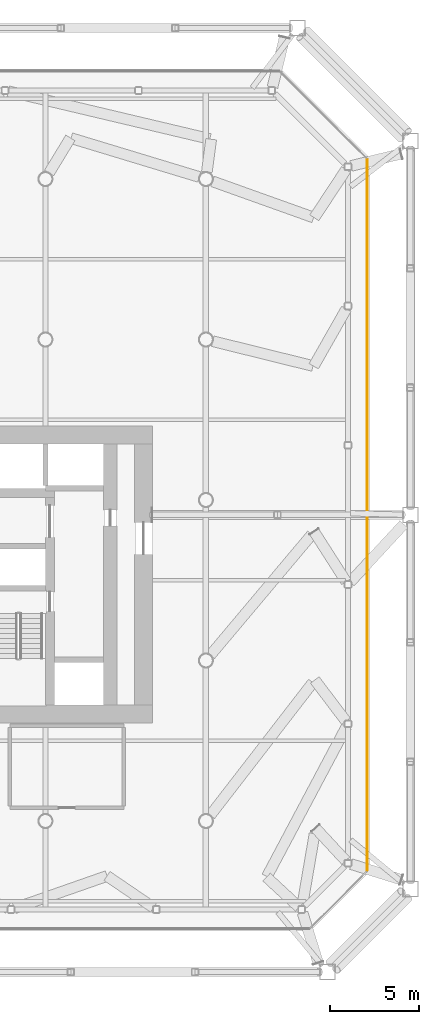
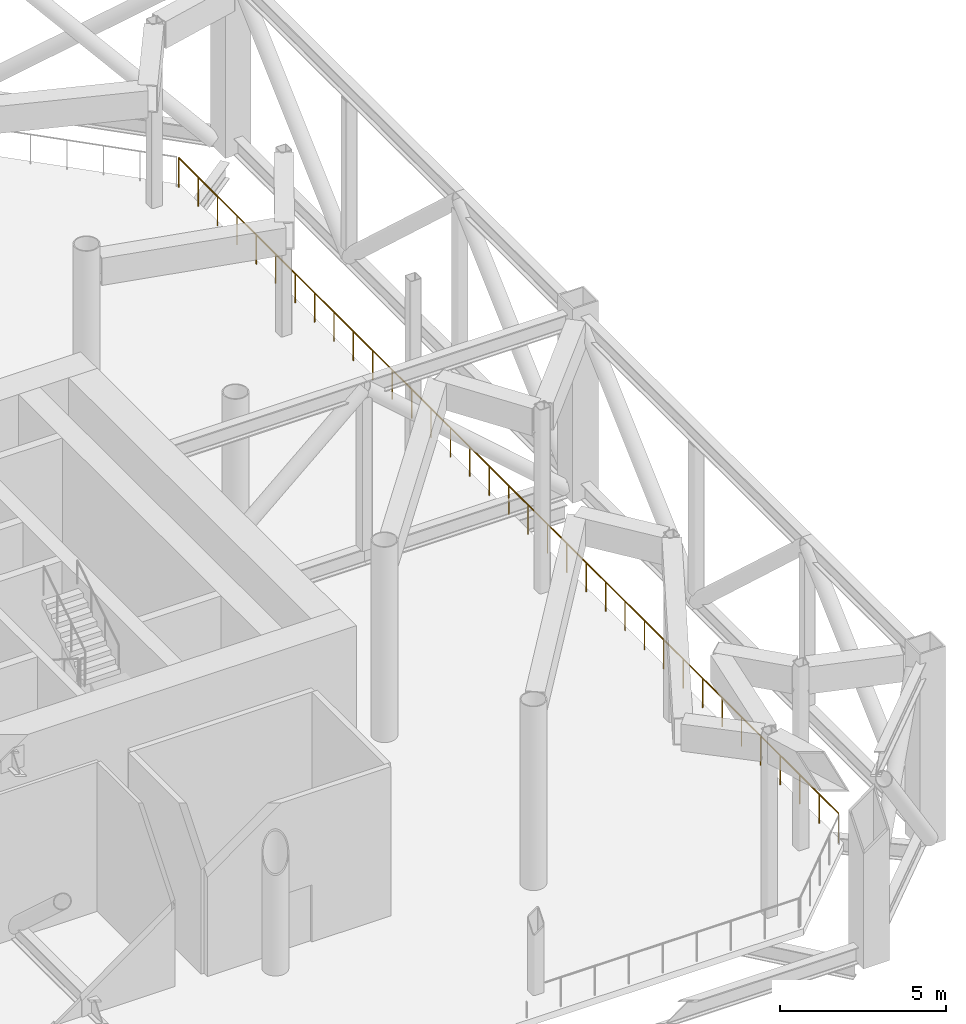
# One storey, part 18 of 20: 1 railing.
"""IFC4 building model written with IfcOpenShell, lengths in metres."""

from ifc_helpers import new_model, si_unit, direction, frame, origin, origin_2d, place, context, subcontext, project, spatial, circle, extrude, material, type_object, element, save


model = new_model("IFC4")

# Units and contexts
model_context = context("Model", 3, precision=1e-05, world=origin(), true_north=direction((0.0, 1.0)))
body_context = subcontext(model_context, "Body", "Model", "MODEL_VIEW")
ifc_project = project(units=[si_unit("LENGTHUNIT", "METRE"), si_unit("AREAUNIT", "SQUARE_METRE"), si_unit("VOLUMEUNIT", "CUBIC_METRE"), si_unit("PLANEANGLEUNIT", "RADIAN"), si_unit("MASSUNIT", "GRAM", prefix="KILO")], contexts=[model_context])

# Site, building, storey
site_placement = place(None, origin())
site = spatial("IfcSite", under=ifc_project, at=site_placement, CompositionType="ELEMENT")
building_placement = place(site_placement, origin())
building = spatial("IfcBuilding", under=site, at=building_placement, Name="Tskaro Facet Tower", CompositionType="ELEMENT")
storey_placement = place(building_placement, frame((0.0, 0.0, 114.300048828125)))
storey = spatial("IfcBuildingStorey", under=building, at=storey_placement, Name="L27", CompositionType="ELEMENT", Elevation=114.300048828125)

# Railing
ifc_material = material(Name="Bronze anodised aluminium 6063-T6", Category="aluminium")
railing_type = type_object("IfcRailingType", Name="Bronze guard rail (GD1)", PredefinedType="GUARDRAIL", material=ifc_material)
railing_placement = place(storey_placement, frame((27.044921875, -20.76611328125, 0.0)))
element("IfcRailing", 1, at=railing_placement, inside=storey, type_object=railing_type, Name="Guard L27", PredefinedType="GUARDRAIL", context=body_context, shape_type="SweptSolid", body=[
    extrude(circle(Radius=0.02490234375, at=origin_2d()), frame((0.0, 0.0, 1.0751953125), z_axis=(0.0, 1.0, 0.0), x_axis=(-1.0, 0.0, 0.0)), (0.0, 0.0, 1.0), 39.858154296875),
    extrude(circle(Radius=0.02001953125, at=origin_2d()), origin(), (0.0, 0.0, 1.0), 1.050048828125),
    extrude(circle(Radius=0.02001953125, at=origin_2d()), frame((0.0, 1.17236328125, 0.0)), (0.0, 0.0, 1.0), 1.050048828125),
    extrude(circle(Radius=0.02001953125, at=origin_2d()), frame((0.0, 2.344482421875, 0.0)), (0.0, 0.0, 1.0), 1.050048828125),
    extrude(circle(Radius=0.02001953125, at=origin_2d()), frame((0.0, 3.516845703125, 0.0)), (0.0, 0.0, 1.0), 1.050048828125),
    extrude(circle(Radius=0.02001953125, at=origin_2d()), frame((0.0, 4.689208984375, 0.0)), (0.0, 0.0, 1.0), 1.050048828125),
    extrude(circle(Radius=0.02001953125, at=origin_2d()), frame((0.0, 5.861572265625, 0.0)), (0.0, 0.0, 1.0), 1.050048828125),
    extrude(circle(Radius=0.02001953125, at=origin_2d()), frame((0.0, 7.03369140625, 0.0)), (0.0, 0.0, 1.0), 1.050048828125),
    extrude(circle(Radius=0.02001953125, at=origin_2d()), frame((0.0, 8.2060546875, 0.0)), (0.0, 0.0, 1.0), 1.050048828125),
    extrude(circle(Radius=0.02001953125, at=origin_2d()), frame((0.0, 9.37841796875, 0.0)), (0.0, 0.0, 1.0), 1.050048828125),
    extrude(circle(Radius=0.02001953125, at=origin_2d()), frame((0.0, 10.55078125, 0.0)), (0.0, 0.0, 1.0), 1.050048828125),
    extrude(circle(Radius=0.02001953125, at=origin_2d()), frame((0.0, 11.722900390625, 0.0)), (0.0, 0.0, 1.0), 1.050048828125),
    extrude(circle(Radius=0.02001953125, at=origin_2d()), frame((0.0, 12.895263671875, 0.0)), (0.0, 0.0, 1.0), 1.050048828125),
    extrude(circle(Radius=0.02001953125, at=origin_2d()), frame((0.0, 14.067626953125, 0.0)), (0.0, 0.0, 1.0), 1.050048828125),
    extrude(circle(Radius=0.02001953125, at=origin_2d()), frame((0.0, 15.239990234375, 0.0)), (0.0, 0.0, 1.0), 1.050048828125),
    extrude(circle(Radius=0.02001953125, at=origin_2d()), frame((0.0, 16.412109375, 0.0)), (0.0, 0.0, 1.0), 1.050048828125),
    extrude(circle(Radius=0.02001953125, at=origin_2d()), frame((0.0, 17.58447265625, 0.0)), (0.0, 0.0, 1.0), 1.050048828125),
    extrude(circle(Radius=0.02001953125, at=origin_2d()), frame((0.0, 18.7568359375, 0.0)), (0.0, 0.0, 1.0), 1.050048828125),
    extrude(circle(Radius=0.02001953125, at=origin_2d()), frame((0.0, 19.92919921875, 0.0)), (0.0, 0.0, 1.0), 1.050048828125),
    extrude(circle(Radius=0.02001953125, at=origin_2d()), frame((0.0, 21.101318359375, 0.0)), (0.0, 0.0, 1.0), 1.050048828125),
    extrude(circle(Radius=0.02001953125, at=origin_2d()), frame((0.0, 22.273681640625, 0.0)), (0.0, 0.0, 1.0), 1.050048828125),
    extrude(circle(Radius=0.02001953125, at=origin_2d()), frame((0.0, 23.446044921875, 0.0)), (0.0, 0.0, 1.0), 1.050048828125),
    extrude(circle(Radius=0.02001953125, at=origin_2d()), frame((0.0, 24.6181640625, 0.0)), (0.0, 0.0, 1.0), 1.050048828125),
    extrude(circle(Radius=0.02001953125, at=origin_2d()), frame((0.0, 25.79052734375, 0.0)), (0.0, 0.0, 1.0), 1.050048828125),
    extrude(circle(Radius=0.02001953125, at=origin_2d()), frame((0.0, 26.962890625, 0.0)), (0.0, 0.0, 1.0), 1.050048828125),
    extrude(circle(Radius=0.02001953125, at=origin_2d()), frame((0.0, 28.13525390625, 0.0)), (0.0, 0.0, 1.0), 1.050048828125),
    extrude(circle(Radius=0.02001953125, at=origin_2d()), frame((0.0, 29.307373046875, 0.0)), (0.0, 0.0, 1.0), 1.050048828125),
    extrude(circle(Radius=0.02001953125, at=origin_2d()), frame((0.0, 30.479736328125, 0.0)), (0.0, 0.0, 1.0), 1.050048828125),
    extrude(circle(Radius=0.02001953125, at=origin_2d()), frame((0.0, 31.652099609375, 0.0)), (0.0, 0.0, 1.0), 1.050048828125),
    extrude(circle(Radius=0.02001953125, at=origin_2d()), frame((0.0, 32.824462890625, 0.0)), (0.0, 0.0, 1.0), 1.050048828125),
    extrude(circle(Radius=0.02001953125, at=origin_2d()), frame((0.0, 33.99658203125, 0.0)), (0.0, 0.0, 1.0), 1.050048828125),
    extrude(circle(Radius=0.02001953125, at=origin_2d()), frame((0.0, 35.1689453125, 0.0)), (0.0, 0.0, 1.0), 1.050048828125),
    extrude(circle(Radius=0.02001953125, at=origin_2d()), frame((0.0, 36.34130859375, 0.0)), (0.0, 0.0, 1.0), 1.050048828125),
    extrude(circle(Radius=0.02001953125, at=origin_2d()), frame((0.0, 37.513671875, 0.0)), (0.0, 0.0, 1.0), 1.050048828125),
    extrude(circle(Radius=0.02001953125, at=origin_2d()), frame((0.0, 38.685791015625, 0.0)), (0.0, 0.0, 1.0), 1.050048828125),
    extrude(circle(Radius=0.02001953125, at=origin_2d()), frame((0.0, 39.858154296875, 0.0)), (0.0, 0.0, 1.0), 1.050048828125),
])

save(model, "model.ifc")
